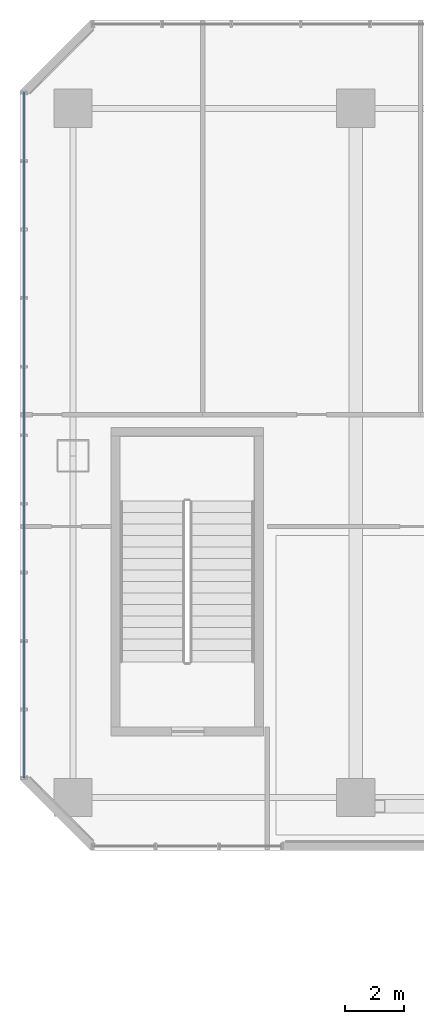
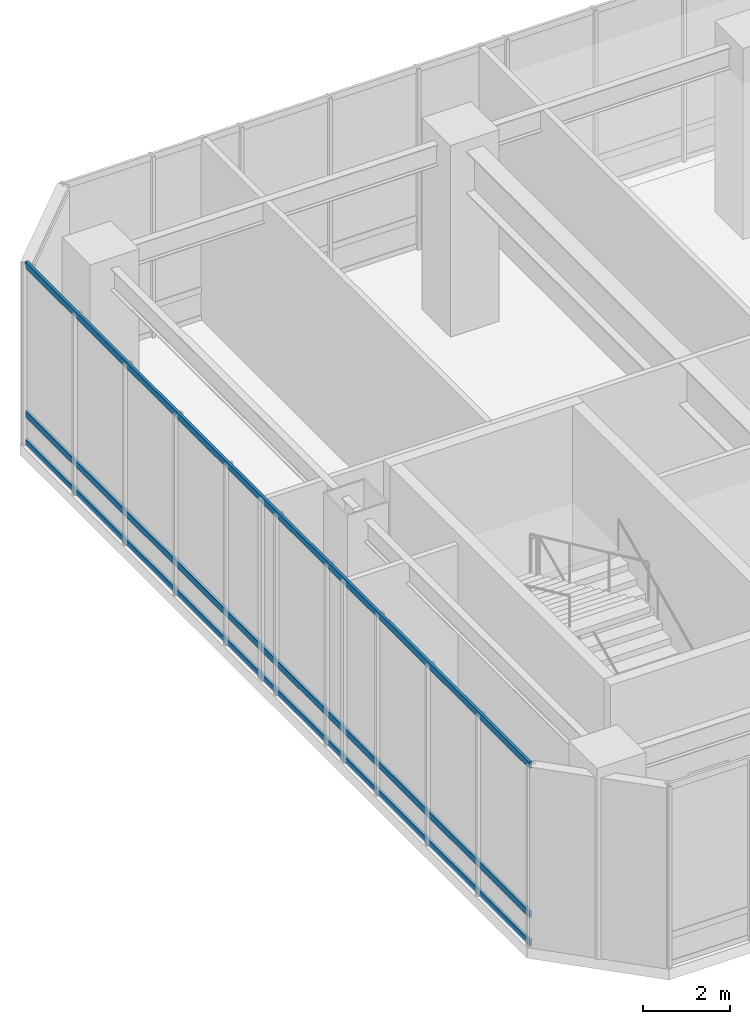
# One storey, part 11 of 35: 3 members, 1 element without a shape of its own.
"""IFC4 building model written with IfcOpenShell, lengths in metres."""

from ifc_helpers import new_model, si_unit, direction, frame, origin, origin_2d, place, context, subcontext, project, spatial, hollow_rectangle, extrude, material, layer, layer_set, material_profile, profile_set, type_object, element, aggregate, save


model = new_model("IFC4")

# Units and contexts
model_context = context("Model", 3, precision=1e-05, world=origin(), true_north=direction((0.0, 1.0)))
body_context = subcontext(model_context, "Body", "Model", "MODEL_VIEW")
ifc_project = project(units=[si_unit("LENGTHUNIT", "METRE"), si_unit("AREAUNIT", "SQUARE_METRE"), si_unit("VOLUMEUNIT", "CUBIC_METRE"), si_unit("PLANEANGLEUNIT", "RADIAN"), si_unit("MASSUNIT", "GRAM", prefix="KILO")], contexts=[model_context])

# Site, building, storey
site_placement = place(None, origin())
site = spatial("IfcSite", under=ifc_project, at=site_placement, CompositionType="ELEMENT")
building_placement = place(site_placement, origin())
building = spatial("IfcBuilding", under=site, at=building_placement, Name="Hatsunagi Terrace Concourse", CompositionType="ELEMENT")
storey_placement = place(building_placement, frame((0.0, 0.0, 10.800048828125)))
storey = spatial("IfcBuildingStorey", under=building, at=storey_placement, Name="L03", CompositionType="ELEMENT", Elevation=10.800048828125)

# Curtain wall, members
ifc_material_1 = material(Name="Anodised Aluminium Alloy 6063-T5", Category="aluminium")
ifc_layer = layer(ifc_material_1, 0.199951171875)
ifc_layer_set = layer_set([ifc_layer], Name="PodiumStorefront_CW01")
curtain_wall_type = type_object("IfcCurtainWallType", Name="PodiumStorefront_CW01", PredefinedType="NOTDEFINED", material=ifc_layer_set)
curtain_wall_placement = place(storey_placement, origin())
curtain_wall = element("IfcCurtainWall", 1, at=curtain_wall_placement, inside=storey, type_object=curtain_wall_type, Name="Unitised Curtain Wall CW-01 CW-L03-10", PredefinedType="NOTDEFINED")
ifc_material_2 = material(Name="Anodised Aluminium Alloy 6063-T5", Category="aluminium")
ifc_material_profile = material_profile(ifc_material_2, hollow_rectangle(XDim=0.070068359375, YDim=0.179931640625, WallThickness=0.00390625, at=origin_2d()), Name="ALU-TRN-180x70x4")
ifc_profile_set = profile_set([ifc_material_profile], Name="Anodised Aluminium Alloy 6063-T5")
member_type = type_object("IfcMemberType", Name="CurtainWallTransom_Heavy_180x70", PredefinedType="USERDEFINED", material=ifc_profile_set)
member_1_placement = place(storey_placement, frame((0.139892578125, 25.85791015625, 0.050048828125), z_axis=(0.0, 1.0, 0.0), x_axis=(-1.0, 0.0, 0.0)))
member_1 = element("IfcMember", 2, at=member_1_placement, type_object=member_type, Name="Curtain Wall Transom TRN-01", ObjectType="TRANSOM", PredefinedType="USERDEFINED", context=body_context, shape_type="SweptSolid", body=[
    extrude(hollow_rectangle(XDim=0.070068359375, YDim=0.179931640625, WallThickness=0.00390625, at=origin_2d()), origin(), (0.0, 0.0, 1.0), 23.2841796875),
])
member_2_placement = place(storey_placement, frame((0.139892578125, 25.85791015625, 0.849853515625), z_axis=(0.0, 1.0, 0.0), x_axis=(-1.0, 0.0, 0.0)))
member_2 = element("IfcMember", 3, at=member_2_placement, type_object=member_type, Name="Curtain Wall Transom TRN-01", ObjectType="TRANSOM", PredefinedType="USERDEFINED", context=body_context, shape_type="SweptSolid", body=[
    extrude(hollow_rectangle(XDim=0.070068359375, YDim=0.179931640625, WallThickness=0.00390625, at=origin_2d()), origin(), (0.0, 0.0, 1.0), 23.2841796875),
])
member_3_placement = place(storey_placement, frame((0.139892578125, 25.85791015625, 5.050048828125), z_axis=(0.0, 1.0, 0.0), x_axis=(-1.0, 0.0, 0.0)))
member_3 = element("IfcMember", 4, at=member_3_placement, type_object=member_type, Name="Curtain Wall Transom TRN-01", ObjectType="TRANSOM", PredefinedType="USERDEFINED", context=body_context, shape_type="SweptSolid", body=[
    extrude(hollow_rectangle(XDim=0.070068359375, YDim=0.179931640625, WallThickness=0.00390625, at=origin_2d()), origin(), (0.0, 0.0, 1.0), 23.2841796875),
])
aggregate(curtain_wall, [member_1, member_2, member_3])

save(model, "model.ifc")
